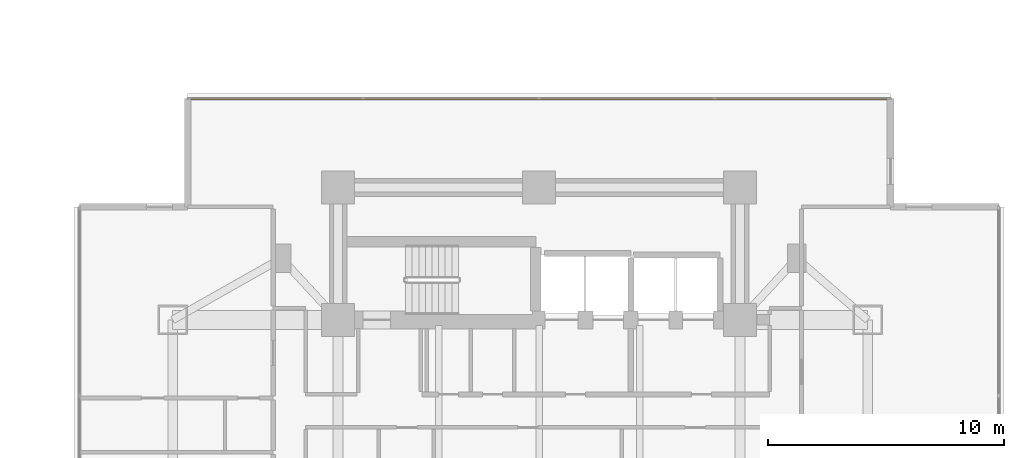
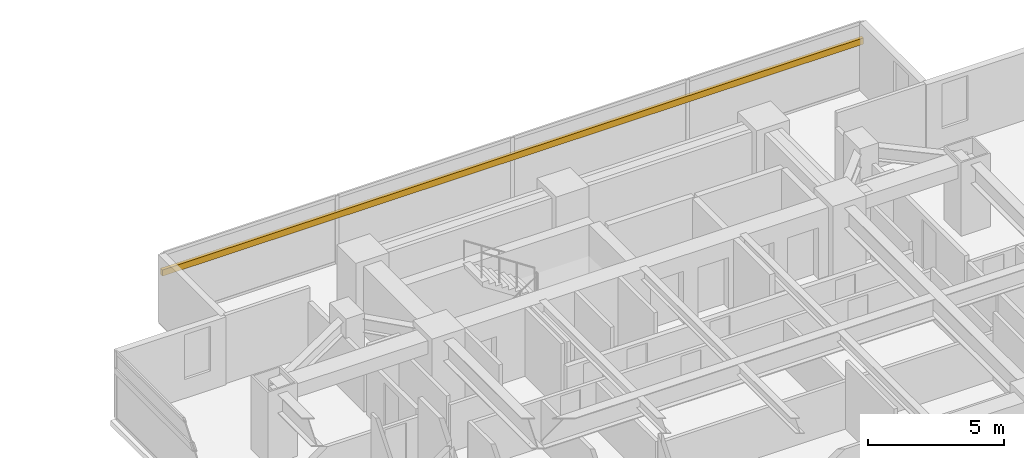
# One storey, part 26 of 26: 1 shading device.
"""IFC4 building model written with IfcOpenShell, lengths in metres."""

from ifc_helpers import new_model, si_unit, direction, frame, origin, origin_2d, place, context, subcontext, project, spatial, rectangle, extrude, material, material_profile, profile_set, type_object, element, save


model = new_model("IFC4")

# Units and contexts
model_context = context("Model", 3, precision=1e-05, world=origin(), true_north=direction((0.0, 1.0)))
body_context = subcontext(model_context, "Body", "Model", "MODEL_VIEW")
ifc_project = project(units=[si_unit("LENGTHUNIT", "METRE"), si_unit("AREAUNIT", "SQUARE_METRE"), si_unit("VOLUMEUNIT", "CUBIC_METRE"), si_unit("PLANEANGLEUNIT", "RADIAN"), si_unit("MASSUNIT", "GRAM", prefix="KILO")], contexts=[model_context])

# Site, building, storey
site_placement = place(None, origin())
site = spatial("IfcSite", under=ifc_project, at=site_placement, CompositionType="ELEMENT")
building_placement = place(site_placement, origin())
building = spatial("IfcBuilding", under=site, at=building_placement, Name="Mirazonda Arch Towers", CompositionType="ELEMENT")
storey_placement = place(building_placement, frame((0.0, 0.0, 45.5)))
storey = spatial("IfcBuildingStorey", under=building, at=storey_placement, Name="L12", CompositionType="ELEMENT", Elevation=45.5)

# Shading device
ifc_material = material(Name="Kiln-Fired Architectural Terracotta", Category="masonry")
ifc_material_profile = material_profile(ifc_material, rectangle(XDim=0.139892578125, YDim=0.280029296875, at=origin_2d()), Name="TERRA-BAG-140x280")
ifc_profile_set = profile_set([ifc_material_profile], Name="Kiln-Fired Architectural Terracotta")
shading_device_type = type_object("IfcShadingDeviceType", Name="BAGUETTE-3", PredefinedType="USERDEFINED", material=ifc_profile_set)
shading_device_placement = place(storey_placement, frame((61.634033203125, 44.56298828125, 2.188720703125), z_axis=(1.0, 0.0, 0.0), x_axis=(0.0, 1.0, 0.0)))
element("IfcShadingDevice", 1, at=shading_device_placement, inside=storey, type_object=shading_device_type, Name="L12 Glazed Terracotta Sun-Screen Baguette CW-L12-T2-N", ObjectType="BAGUETTE", PredefinedType="USERDEFINED", context=body_context, shape_type="SweptSolid", body=[
    extrude(rectangle(XDim=0.139892578125, YDim=0.280029296875, at=origin_2d()), origin(), (0.0, 0.0, 1.0), 29.73193359375),
])

save(model, "model.ifc")
